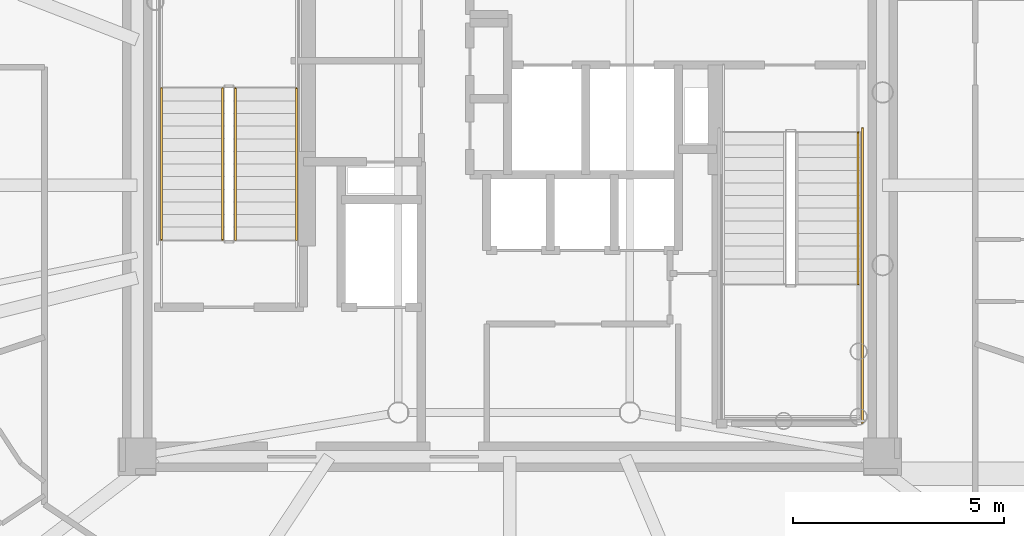
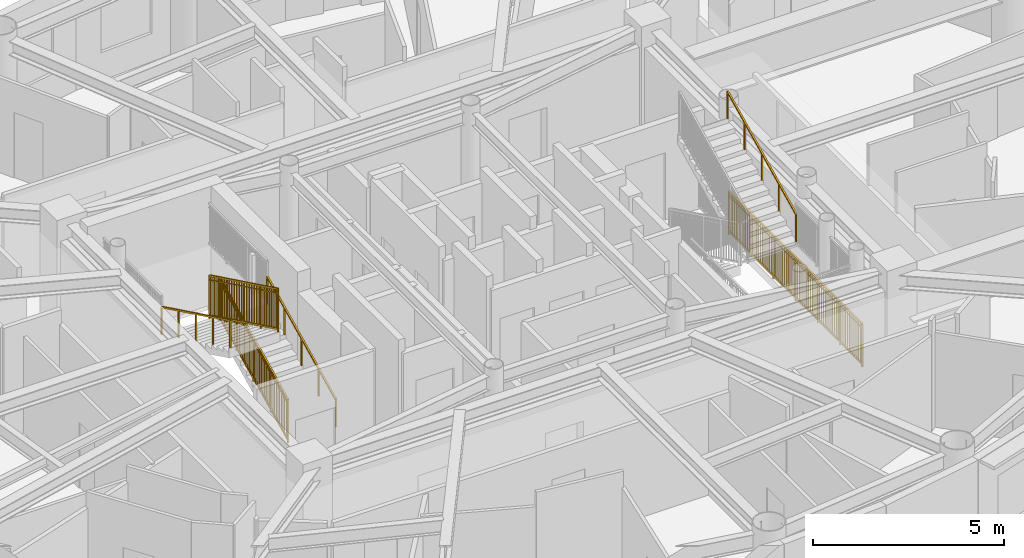
# One storey, part 14 of 17: 6 railings.
"""IFC4 building model written with IfcOpenShell, lengths in metres."""

from ifc_helpers import new_model, si_unit, direction, frame, origin, origin_2d, place, context, subcontext, project, spatial, rectangle, extrude, source, transform, mapped, material, type_object, element, save


model = new_model("IFC4")

# Units and contexts
model_context = context("Model", 3, precision=1e-05, world=origin(), true_north=direction((0.0, 1.0)))
body_context = subcontext(model_context, "Body", "Model", "MODEL_VIEW")
ifc_project = project(units=[si_unit("LENGTHUNIT", "METRE"), si_unit("AREAUNIT", "SQUARE_METRE"), si_unit("VOLUMEUNIT", "CUBIC_METRE"), si_unit("PLANEANGLEUNIT", "RADIAN"), si_unit("MASSUNIT", "GRAM", prefix="KILO")], contexts=[model_context])

# Site, building, storey
site_placement = place(None, origin())
site = spatial("IfcSite", under=ifc_project, at=site_placement, CompositionType="ELEMENT")
building_placement = place(site_placement, origin())
building = spatial("IfcBuilding", under=site, at=building_placement, Name="Linh Dai School and Residence Tower", CompositionType="ELEMENT")
storey_placement = place(building_placement, frame((0.0, 0.0, 335.39990234375)))
storey = spatial("IfcBuildingStorey", under=building, at=storey_placement, Name="L83", CompositionType="ELEMENT", Elevation=335.39990234375)

# Railings
ifc_material_1 = material(Name="Structural Steel S355JR", Category="steel")
railing_type_1 = type_object("IfcRailingType", Name="RL-ST-GUARD-1400", PredefinedType="GUARDRAIL", material=ifc_material_1)
shared_shape_1 = source(origin(), body_context, "Body", "SweptSolid", [
    extrude(rectangle(XDim=0.048095703125, YDim=0.048095703125, at=origin_2d()), frame((0.0, 0.0, 1.3759765625), z_axis=(0.0, -0.898988637874, 0.437971949985), x_axis=(1.0, 0.0, 0.0)), (0.0, 0.0, 1.0), 4.004638671875),
    extrude(rectangle(XDim=0.048095703125, YDim=0.048095703125, at=origin_2d()), frame((0.0, 0.0, 0.10009765625), z_axis=(0.0, -0.898988637874, 0.437971949985), x_axis=(1.0, 0.0, 0.0)), (0.0, 0.0, 1.0), 4.004638671875),
    extrude(rectangle(XDim=0.030029296875, YDim=0.030029296875, at=origin_2d()), frame((0.0, 0.0, 1.239990234375), z_axis=(0.0, -0.898988637874, 0.437971949985), x_axis=(1.0, 0.0, 0.0)), (0.0, 0.0, 1.0), 4.004638671875),
    extrude(rectangle(XDim=0.02001953125, YDim=0.02001953125, at=origin_2d()), frame((0.0, -0.087890625, 0.142822265625)), (0.0, 0.0, 1.0), 1.251708984375),
    extrude(rectangle(XDim=0.02001953125, YDim=0.02001953125, at=origin_2d()), frame((0.0, -0.175537109375, 0.185546875)), (0.0, 0.0, 1.0), 1.251708984375),
    extrude(rectangle(XDim=0.02001953125, YDim=0.02001953125, at=origin_2d()), frame((0.0, -0.263427734375, 0.228515625)), (0.0, 0.0, 1.0), 1.251708984375),
    extrude(rectangle(XDim=0.02001953125, YDim=0.02001953125, at=origin_2d()), frame((0.0, -0.351318359375, 0.271240234375)), (0.0, 0.0, 1.0), 1.251708984375),
    extrude(rectangle(XDim=0.02001953125, YDim=0.02001953125, at=origin_2d()), frame((0.0, -0.43896484375, 0.31396484375)), (0.0, 0.0, 1.0), 1.251708984375),
    extrude(rectangle(XDim=0.02001953125, YDim=0.02001953125, at=origin_2d()), frame((0.0, -0.52685546875, 0.356689453125)), (0.0, 0.0, 1.0), 1.251708984375),
    extrude(rectangle(XDim=0.02001953125, YDim=0.02001953125, at=origin_2d()), frame((0.0, -0.61474609375, 0.399658203125)), (0.0, 0.0, 1.0), 1.251708984375),
    extrude(rectangle(XDim=0.02001953125, YDim=0.02001953125, at=origin_2d()), frame((0.0, -0.702392578125, 0.4423828125)), (0.0, 0.0, 1.0), 1.251708984375),
    extrude(rectangle(XDim=0.02001953125, YDim=0.02001953125, at=origin_2d()), frame((0.0, -0.790283203125, 0.485107421875)), (0.0, 0.0, 1.0), 1.251708984375),
    extrude(rectangle(XDim=0.02001953125, YDim=0.02001953125, at=origin_2d()), frame((0.0, -0.9658203125, 0.570556640625)), (0.0, 0.0, 1.0), 1.251708984375),
    extrude(rectangle(XDim=0.02001953125, YDim=0.02001953125, at=origin_2d()), frame((0.0, -1.0537109375, 0.613525390625)), (0.0, 0.0, 1.0), 1.251708984375),
    extrude(rectangle(XDim=0.02001953125, YDim=0.02001953125, at=origin_2d()), frame((0.0, -1.1416015625, 0.65625)), (0.0, 0.0, 1.0), 1.251708984375),
    extrude(rectangle(XDim=0.02001953125, YDim=0.02001953125, at=origin_2d()), frame((0.0, -1.229248046875, 0.698974609375)), (0.0, 0.0, 1.0), 1.251708984375),
    extrude(rectangle(XDim=0.02001953125, YDim=0.02001953125, at=origin_2d()), frame((0.0, -1.317138671875, 0.74169921875)), (0.0, 0.0, 1.0), 1.251708984375),
    extrude(rectangle(XDim=0.02001953125, YDim=0.02001953125, at=origin_2d()), frame((0.0, -1.405029296875, 0.78466796875)), (0.0, 0.0, 1.0), 1.251708984375),
    extrude(rectangle(XDim=0.02001953125, YDim=0.02001953125, at=origin_2d()), frame((0.0, -1.49267578125, 0.827392578125)), (0.0, 0.0, 1.0), 1.251708984375),
    extrude(rectangle(XDim=0.02001953125, YDim=0.02001953125, at=origin_2d()), frame((0.0, -1.58056640625, 0.8701171875)), (0.0, 0.0, 1.0), 1.251708984375),
    extrude(rectangle(XDim=0.02001953125, YDim=0.02001953125, at=origin_2d()), frame((0.0, -1.66845703125, 0.912841796875)), (0.0, 0.0, 1.0), 1.251708984375),
    extrude(rectangle(XDim=0.02001953125, YDim=0.02001953125, at=origin_2d()), frame((0.0, -1.756103515625, 0.95556640625)), (0.0, 0.0, 1.0), 1.251708984375),
    extrude(rectangle(XDim=0.02001953125, YDim=0.02001953125, at=origin_2d()), frame((0.0, -1.843994140625, 0.99853515625)), (0.0, 0.0, 1.0), 1.251708984375),
    extrude(rectangle(XDim=0.02001953125, YDim=0.02001953125, at=origin_2d()), frame((0.0, -1.931640625, 1.041259765625)), (0.0, 0.0, 1.0), 1.251708984375),
    extrude(rectangle(XDim=0.02001953125, YDim=0.02001953125, at=origin_2d()), frame((0.0, -2.01953125, 1.083984375)), (0.0, 0.0, 1.0), 1.251708984375),
    extrude(rectangle(XDim=0.02001953125, YDim=0.02001953125, at=origin_2d()), frame((0.0, -2.107421875, 1.126708984375)), (0.0, 0.0, 1.0), 1.251708984375),
    extrude(rectangle(XDim=0.02001953125, YDim=0.02001953125, at=origin_2d()), frame((0.0, -2.195068359375, 1.16943359375)), (0.0, 0.0, 1.0), 1.251708984375),
    extrude(rectangle(XDim=0.02001953125, YDim=0.02001953125, at=origin_2d()), frame((0.0, -2.282958984375, 1.21240234375)), (0.0, 0.0, 1.0), 1.251708984375),
    extrude(rectangle(XDim=0.02001953125, YDim=0.02001953125, at=origin_2d()), frame((0.0, -2.370849609375, 1.255126953125)), (0.0, 0.0, 1.0), 1.251708984375),
    extrude(rectangle(XDim=0.02001953125, YDim=0.02001953125, at=origin_2d()), frame((0.0, -2.45849609375, 1.2978515625)), (0.0, 0.0, 1.0), 1.251708984375),
    extrude(rectangle(XDim=0.02001953125, YDim=0.02001953125, at=origin_2d()), frame((0.0, -2.54638671875, 1.340576171875)), (0.0, 0.0, 1.0), 1.251708984375),
    extrude(rectangle(XDim=0.02001953125, YDim=0.02001953125, at=origin_2d()), frame((0.0, -2.63427734375, 1.383544921875)), (0.0, 0.0, 1.0), 1.251708984375),
    extrude(rectangle(XDim=0.02001953125, YDim=0.02001953125, at=origin_2d()), frame((0.0, -2.809814453125, 1.468994140625)), (0.0, 0.0, 1.0), 1.251708984375),
    extrude(rectangle(XDim=0.02001953125, YDim=0.02001953125, at=origin_2d()), frame((0.0, -2.897705078125, 1.51171875)), (0.0, 0.0, 1.0), 1.251708984375),
    extrude(rectangle(XDim=0.02001953125, YDim=0.02001953125, at=origin_2d()), frame((0.0, -2.9853515625, 1.554443359375)), (0.0, 0.0, 1.0), 1.251708984375),
    extrude(rectangle(XDim=0.02001953125, YDim=0.02001953125, at=origin_2d()), frame((0.0, -3.0732421875, 1.597412109375)), (0.0, 0.0, 1.0), 1.251708984375),
    extrude(rectangle(XDim=0.02001953125, YDim=0.02001953125, at=origin_2d()), frame((0.0, -3.1611328125, 1.64013671875)), (0.0, 0.0, 1.0), 1.251708984375),
    extrude(rectangle(XDim=0.02001953125, YDim=0.02001953125, at=origin_2d()), frame((0.0, -3.248779296875, 1.682861328125)), (0.0, 0.0, 1.0), 1.251708984375),
    extrude(rectangle(XDim=0.02001953125, YDim=0.02001953125, at=origin_2d()), frame((0.0, -3.336669921875, 1.7255859375)), (0.0, 0.0, 1.0), 1.251708984375),
    extrude(rectangle(XDim=0.02001953125, YDim=0.02001953125, at=origin_2d()), frame((0.0, -3.424560546875, 1.7685546875)), (0.0, 0.0, 1.0), 1.251708984375),
    extrude(rectangle(XDim=0.02001953125, YDim=0.02001953125, at=origin_2d()), frame((0.0, -3.51220703125, 1.811279296875)), (0.0, 0.0, 1.0), 1.251708984375),
    extrude(rectangle(XDim=0.0419921875, YDim=0.0419921875, at=origin_2d()), origin(), (0.0, 0.0, 1.0), 1.3759765625),
    extrude(rectangle(XDim=0.0419921875, YDim=0.0419921875, at=origin_2d()), frame((0.0, -0.89990234375, 0.4384765625)), (0.0, 0.0, 1.0), 1.3759765625),
    extrude(rectangle(XDim=0.0419921875, YDim=0.0419921875, at=origin_2d()), frame((0.0, -1.800048828125, 0.876953125)), (0.0, 0.0, 1.0), 1.3759765625),
    extrude(rectangle(XDim=0.0419921875, YDim=0.0419921875, at=origin_2d()), frame((0.0, -2.7001953125, 1.3154296875)), (0.0, 0.0, 1.0), 1.3759765625),
    extrude(rectangle(XDim=0.0419921875, YDim=0.0419921875, at=origin_2d()), frame((0.0, -3.60009765625, 1.75390625)), (0.0, 0.0, 1.0), 1.3759765625),
])
railing_1_placement = place(storey_placement, frame((29.179931640625, 29.300048828125, 2.046142578125)))
element("IfcRailing", 1, at=railing_1_placement, inside=storey, type_object=railing_type_1, Name="L83 ST1 stair guard 6", PredefinedType="GUARDRAIL", context=body_context, shape_type="MappedRepresentation", body=[
    mapped(shared_shape_1, transform((0.0, 0.0, 0.0), x_axis=(1.0, 0.0, 0.0), y_axis=(0.0, 1.0, 0.0), z_axis=(0.0, 0.0, 1.0), scale=1.0)),
])
ifc_material_2 = material(Name="Brushed Stainless Steel Handrail", Category="steel")
railing_type_2 = type_object("IfcRailingType", Name="RL-ST-HANDRAIL-900", PredefinedType="HANDRAIL", material=ifc_material_2)
shared_shape_2 = source(origin(), body_context, "Body", "SweptSolid", [
    extrude(rectangle(XDim=0.048095703125, YDim=0.048095703125, at=origin_2d()), frame((0.0, 0.0, 0.8759765625), z_axis=(0.0, -0.898988637874, 0.437971949985), x_axis=(1.0, 0.0, 0.0)), (0.0, 0.0, 1.0), 4.004638671875),
    extrude(rectangle(XDim=0.0419921875, YDim=0.0419921875, at=origin_2d()), origin(), (0.0, 0.0, 1.0), 0.8759765625),
    extrude(rectangle(XDim=0.0419921875, YDim=0.0419921875, at=origin_2d()), frame((0.0, -0.89990234375, 0.4384765625)), (0.0, 0.0, 1.0), 0.8759765625),
    extrude(rectangle(XDim=0.0419921875, YDim=0.0419921875, at=origin_2d()), frame((0.0, -1.800048828125, 0.876953125)), (0.0, 0.0, 1.0), 0.8759765625),
    extrude(rectangle(XDim=0.0419921875, YDim=0.0419921875, at=origin_2d()), frame((0.0, -2.7001953125, 1.3154296875)), (0.0, 0.0, 1.0), 0.8759765625),
    extrude(rectangle(XDim=0.0419921875, YDim=0.0419921875, at=origin_2d()), frame((0.0, -3.60009765625, 1.75390625)), (0.0, 0.0, 1.0), 0.8759765625),
])
railing_2_placement = place(storey_placement, frame((27.72998046875, 29.300048828125, 2.046142578125)))
element("IfcRailing", 2, at=railing_2_placement, inside=storey, type_object=railing_type_2, Name="L83 ST1 stair handrail 2", PredefinedType="HANDRAIL", context=body_context, shape_type="MappedRepresentation", body=[
    mapped(shared_shape_2, transform((0.0, 0.0, 0.0), x_axis=(1.0, 0.0, 0.0), y_axis=(0.0, 1.0, 0.0), z_axis=(0.0, 0.0, 1.0), scale=1.0)),
])
shared_shape_3 = source(origin(), body_context, "Body", "SweptSolid", [
    extrude(rectangle(XDim=0.048095703125, YDim=0.048095703125, at=origin_2d()), frame((0.0, 0.0, 1.3759765625), z_axis=(0.0, 0.898988637874, 0.437971949985), x_axis=(-1.0, 0.0, 0.0)), (0.0, 0.0, 1.0), 4.004638671875),
    extrude(rectangle(XDim=0.048095703125, YDim=0.048095703125, at=origin_2d()), frame((0.0, 0.0, 0.10009765625), z_axis=(0.0, 0.898988637874, 0.437971949985), x_axis=(-1.0, 0.0, 0.0)), (0.0, 0.0, 1.0), 4.004638671875),
    extrude(rectangle(XDim=0.030029296875, YDim=0.030029296875, at=origin_2d()), frame((0.0, 0.0, 1.239990234375), z_axis=(0.0, 0.898988637874, 0.437971949985), x_axis=(-1.0, 0.0, 0.0)), (0.0, 0.0, 1.0), 4.004638671875),
    extrude(rectangle(XDim=0.02001953125, YDim=0.02001953125, at=origin_2d()), frame((0.0, 0.087890625, 0.142822265625)), (0.0, 0.0, 1.0), 1.251708984375),
    extrude(rectangle(XDim=0.02001953125, YDim=0.02001953125, at=origin_2d()), frame((0.0, 0.175537109375, 0.185546875)), (0.0, 0.0, 1.0), 1.251708984375),
    extrude(rectangle(XDim=0.02001953125, YDim=0.02001953125, at=origin_2d()), frame((0.0, 0.263427734375, 0.228515625)), (0.0, 0.0, 1.0), 1.251708984375),
    extrude(rectangle(XDim=0.02001953125, YDim=0.02001953125, at=origin_2d()), frame((0.0, 0.351318359375, 0.271240234375)), (0.0, 0.0, 1.0), 1.251708984375),
    extrude(rectangle(XDim=0.02001953125, YDim=0.02001953125, at=origin_2d()), frame((0.0, 0.43896484375, 0.31396484375)), (0.0, 0.0, 1.0), 1.251708984375),
    extrude(rectangle(XDim=0.02001953125, YDim=0.02001953125, at=origin_2d()), frame((0.0, 0.52685546875, 0.356689453125)), (0.0, 0.0, 1.0), 1.251708984375),
    extrude(rectangle(XDim=0.02001953125, YDim=0.02001953125, at=origin_2d()), frame((0.0, 0.61474609375, 0.399658203125)), (0.0, 0.0, 1.0), 1.251708984375),
    extrude(rectangle(XDim=0.02001953125, YDim=0.02001953125, at=origin_2d()), frame((0.0, 0.702392578125, 0.4423828125)), (0.0, 0.0, 1.0), 1.251708984375),
    extrude(rectangle(XDim=0.02001953125, YDim=0.02001953125, at=origin_2d()), frame((0.0, 0.790283203125, 0.485107421875)), (0.0, 0.0, 1.0), 1.251708984375),
    extrude(rectangle(XDim=0.02001953125, YDim=0.02001953125, at=origin_2d()), frame((0.0, 0.9658203125, 0.570556640625)), (0.0, 0.0, 1.0), 1.251708984375),
    extrude(rectangle(XDim=0.02001953125, YDim=0.02001953125, at=origin_2d()), frame((0.0, 1.0537109375, 0.613525390625)), (0.0, 0.0, 1.0), 1.251708984375),
    extrude(rectangle(XDim=0.02001953125, YDim=0.02001953125, at=origin_2d()), frame((0.0, 1.1416015625, 0.65625)), (0.0, 0.0, 1.0), 1.251708984375),
    extrude(rectangle(XDim=0.02001953125, YDim=0.02001953125, at=origin_2d()), frame((0.0, 1.229248046875, 0.698974609375)), (0.0, 0.0, 1.0), 1.251708984375),
    extrude(rectangle(XDim=0.02001953125, YDim=0.02001953125, at=origin_2d()), frame((0.0, 1.317138671875, 0.74169921875)), (0.0, 0.0, 1.0), 1.251708984375),
    extrude(rectangle(XDim=0.02001953125, YDim=0.02001953125, at=origin_2d()), frame((0.0, 1.405029296875, 0.78466796875)), (0.0, 0.0, 1.0), 1.251708984375),
    extrude(rectangle(XDim=0.02001953125, YDim=0.02001953125, at=origin_2d()), frame((0.0, 1.49267578125, 0.827392578125)), (0.0, 0.0, 1.0), 1.251708984375),
    extrude(rectangle(XDim=0.02001953125, YDim=0.02001953125, at=origin_2d()), frame((0.0, 1.58056640625, 0.8701171875)), (0.0, 0.0, 1.0), 1.251708984375),
    extrude(rectangle(XDim=0.02001953125, YDim=0.02001953125, at=origin_2d()), frame((0.0, 1.66845703125, 0.912841796875)), (0.0, 0.0, 1.0), 1.251708984375),
    extrude(rectangle(XDim=0.02001953125, YDim=0.02001953125, at=origin_2d()), frame((0.0, 1.756103515625, 0.95556640625)), (0.0, 0.0, 1.0), 1.251708984375),
    extrude(rectangle(XDim=0.02001953125, YDim=0.02001953125, at=origin_2d()), frame((0.0, 1.843994140625, 0.99853515625)), (0.0, 0.0, 1.0), 1.251708984375),
    extrude(rectangle(XDim=0.02001953125, YDim=0.02001953125, at=origin_2d()), frame((0.0, 1.931640625, 1.041259765625)), (0.0, 0.0, 1.0), 1.251708984375),
    extrude(rectangle(XDim=0.02001953125, YDim=0.02001953125, at=origin_2d()), frame((0.0, 2.01953125, 1.083984375)), (0.0, 0.0, 1.0), 1.251708984375),
    extrude(rectangle(XDim=0.02001953125, YDim=0.02001953125, at=origin_2d()), frame((0.0, 2.107421875, 1.126708984375)), (0.0, 0.0, 1.0), 1.251708984375),
    extrude(rectangle(XDim=0.02001953125, YDim=0.02001953125, at=origin_2d()), frame((0.0, 2.195068359375, 1.16943359375)), (0.0, 0.0, 1.0), 1.251708984375),
    extrude(rectangle(XDim=0.02001953125, YDim=0.02001953125, at=origin_2d()), frame((0.0, 2.282958984375, 1.21240234375)), (0.0, 0.0, 1.0), 1.251708984375),
    extrude(rectangle(XDim=0.02001953125, YDim=0.02001953125, at=origin_2d()), frame((0.0, 2.370849609375, 1.255126953125)), (0.0, 0.0, 1.0), 1.251708984375),
    extrude(rectangle(XDim=0.02001953125, YDim=0.02001953125, at=origin_2d()), frame((0.0, 2.45849609375, 1.2978515625)), (0.0, 0.0, 1.0), 1.251708984375),
    extrude(rectangle(XDim=0.02001953125, YDim=0.02001953125, at=origin_2d()), frame((0.0, 2.54638671875, 1.340576171875)), (0.0, 0.0, 1.0), 1.251708984375),
    extrude(rectangle(XDim=0.02001953125, YDim=0.02001953125, at=origin_2d()), frame((0.0, 2.63427734375, 1.383544921875)), (0.0, 0.0, 1.0), 1.251708984375),
    extrude(rectangle(XDim=0.02001953125, YDim=0.02001953125, at=origin_2d()), frame((0.0, 2.809814453125, 1.468994140625)), (0.0, 0.0, 1.0), 1.251708984375),
    extrude(rectangle(XDim=0.02001953125, YDim=0.02001953125, at=origin_2d()), frame((0.0, 2.897705078125, 1.51171875)), (0.0, 0.0, 1.0), 1.251708984375),
    extrude(rectangle(XDim=0.02001953125, YDim=0.02001953125, at=origin_2d()), frame((0.0, 2.9853515625, 1.554443359375)), (0.0, 0.0, 1.0), 1.251708984375),
    extrude(rectangle(XDim=0.02001953125, YDim=0.02001953125, at=origin_2d()), frame((0.0, 3.0732421875, 1.597412109375)), (0.0, 0.0, 1.0), 1.251708984375),
    extrude(rectangle(XDim=0.02001953125, YDim=0.02001953125, at=origin_2d()), frame((0.0, 3.1611328125, 1.64013671875)), (0.0, 0.0, 1.0), 1.251708984375),
    extrude(rectangle(XDim=0.02001953125, YDim=0.02001953125, at=origin_2d()), frame((0.0, 3.248779296875, 1.682861328125)), (0.0, 0.0, 1.0), 1.251708984375),
    extrude(rectangle(XDim=0.02001953125, YDim=0.02001953125, at=origin_2d()), frame((0.0, 3.336669921875, 1.7255859375)), (0.0, 0.0, 1.0), 1.251708984375),
    extrude(rectangle(XDim=0.02001953125, YDim=0.02001953125, at=origin_2d()), frame((0.0, 3.424560546875, 1.7685546875)), (0.0, 0.0, 1.0), 1.251708984375),
    extrude(rectangle(XDim=0.02001953125, YDim=0.02001953125, at=origin_2d()), frame((0.0, 3.51220703125, 1.811279296875)), (0.0, 0.0, 1.0), 1.251708984375),
    extrude(rectangle(XDim=0.0419921875, YDim=0.0419921875, at=origin_2d()), origin(), (0.0, 0.0, 1.0), 1.3759765625),
    extrude(rectangle(XDim=0.0419921875, YDim=0.0419921875, at=origin_2d()), frame((0.0, 0.89990234375, 0.4384765625)), (0.0, 0.0, 1.0), 1.3759765625),
    extrude(rectangle(XDim=0.0419921875, YDim=0.0419921875, at=origin_2d()), frame((0.0, 1.800048828125, 0.876953125)), (0.0, 0.0, 1.0), 1.3759765625),
    extrude(rectangle(XDim=0.0419921875, YDim=0.0419921875, at=origin_2d()), frame((0.0, 2.7001953125, 1.3154296875)), (0.0, 0.0, 1.0), 1.3759765625),
    extrude(rectangle(XDim=0.0419921875, YDim=0.0419921875, at=origin_2d()), frame((0.0, 3.60009765625, 1.75390625)), (0.0, 0.0, 1.0), 1.3759765625),
])
railing_3_placement = place(storey_placement, frame((29.47998046875, 25.699951171875, 0.146240234375)))
element("IfcRailing", 3, at=railing_3_placement, inside=storey, type_object=railing_type_1, Name="L83 ST1 stair guard 1", PredefinedType="GUARDRAIL", context=body_context, shape_type="MappedRepresentation", body=[
    mapped(shared_shape_3, transform((0.0, 0.0, 0.0), x_axis=(1.0, 0.0, 0.0), y_axis=(0.0, 1.0, 0.0), z_axis=(0.0, 0.0, 1.0), scale=1.0)),
])
shared_shape_4 = source(origin(), body_context, "Body", "SweptSolid", [
    extrude(rectangle(XDim=0.048095703125, YDim=0.048095703125, at=origin_2d()), frame((0.0, 0.0, 0.8759765625), z_axis=(0.0, 0.898988637874, 0.437971949985), x_axis=(-1.0, 0.0, 0.0)), (0.0, 0.0, 1.0), 4.004638671875),
    extrude(rectangle(XDim=0.0419921875, YDim=0.0419921875, at=origin_2d()), origin(), (0.0, 0.0, 1.0), 0.8759765625),
    extrude(rectangle(XDim=0.0419921875, YDim=0.0419921875, at=origin_2d()), frame((0.0, 0.89990234375, 0.4384765625)), (0.0, 0.0, 1.0), 0.8759765625),
    extrude(rectangle(XDim=0.0419921875, YDim=0.0419921875, at=origin_2d()), frame((0.0, 1.800048828125, 0.876953125)), (0.0, 0.0, 1.0), 0.8759765625),
    extrude(rectangle(XDim=0.0419921875, YDim=0.0419921875, at=origin_2d()), frame((0.0, 2.7001953125, 1.3154296875)), (0.0, 0.0, 1.0), 0.8759765625),
    extrude(rectangle(XDim=0.0419921875, YDim=0.0419921875, at=origin_2d()), frame((0.0, 3.60009765625, 1.75390625)), (0.0, 0.0, 1.0), 0.8759765625),
])
for number, where, name in (
    (4, (30.929931640625, 25.699951171875, 0.146240234375), "L83 ST1 stair handrail 1"),
    (5, (44.27001953125, 24.64990234375, 2.046142578125), "L83 ST2 stair handrail 2"),
):
    element("IfcRailing", number, at=place(storey_placement, frame(where)), inside=storey, type_object=railing_type_2, Name=name, PredefinedType="HANDRAIL", context=body_context, shape_type="MappedRepresentation", body=[
        mapped(shared_shape_4, transform((0.0, 0.0, 0.0), x_axis=(1.0, 0.0, 0.0), y_axis=(0.0, 1.0, 0.0), z_axis=(0.0, 0.0, 1.0), scale=1.0)),
    ])
shared_shape_5 = source(origin(), body_context, "Body", "SweptSolid", [
    extrude(rectangle(XDim=0.048095703125, YDim=0.048095703125, at=origin_2d()), frame((0.0, 0.0, 1.3759765625), z_axis=(0.0, -1.0, 0.0), x_axis=(1.0, 0.0, 0.0)), (0.0, 0.0, 1.0), 7.0),
    extrude(rectangle(XDim=0.048095703125, YDim=0.048095703125, at=origin_2d()), frame((0.0, 0.0, 0.10009765625), z_axis=(0.0, -1.0, 0.0), x_axis=(1.0, 0.0, 0.0)), (0.0, 0.0, 1.0), 7.0),
    extrude(rectangle(XDim=0.030029296875, YDim=0.030029296875, at=origin_2d()), frame((0.0, 0.0, 1.239990234375), z_axis=(0.0, -1.0, 0.0), x_axis=(1.0, 0.0, 0.0)), (0.0, 0.0, 1.0), 7.0),
    extrude(rectangle(XDim=0.02001953125, YDim=0.02001953125, at=origin_2d()), frame((0.0, -0.09716796875, 0.10009765625)), (0.0, 0.0, 1.0), 1.251708984375),
    extrude(rectangle(XDim=0.02001953125, YDim=0.02001953125, at=origin_2d()), frame((0.0, -0.1943359375, 0.10009765625)), (0.0, 0.0, 1.0), 1.251708984375),
    extrude(rectangle(XDim=0.02001953125, YDim=0.02001953125, at=origin_2d()), frame((0.0, -0.291748046875, 0.10009765625)), (0.0, 0.0, 1.0), 1.251708984375),
    extrude(rectangle(XDim=0.02001953125, YDim=0.02001953125, at=origin_2d()), frame((0.0, -0.388916015625, 0.10009765625)), (0.0, 0.0, 1.0), 1.251708984375),
    extrude(rectangle(XDim=0.02001953125, YDim=0.02001953125, at=origin_2d()), frame((0.0, -0.486083984375, 0.10009765625)), (0.0, 0.0, 1.0), 1.251708984375),
    extrude(rectangle(XDim=0.02001953125, YDim=0.02001953125, at=origin_2d()), frame((0.0, -0.583251953125, 0.10009765625)), (0.0, 0.0, 1.0), 1.251708984375),
    extrude(rectangle(XDim=0.02001953125, YDim=0.02001953125, at=origin_2d()), frame((0.0, -0.6806640625, 0.10009765625)), (0.0, 0.0, 1.0), 1.251708984375),
    extrude(rectangle(XDim=0.02001953125, YDim=0.02001953125, at=origin_2d()), frame((0.0, -0.77783203125, 0.10009765625)), (0.0, 0.0, 1.0), 1.251708984375),
    extrude(rectangle(XDim=0.02001953125, YDim=0.02001953125, at=origin_2d()), frame((0.0, -0.875, 0.10009765625)), (0.0, 0.0, 1.0), 1.251708984375),
    extrude(rectangle(XDim=0.02001953125, YDim=0.02001953125, at=origin_2d()), frame((0.0, -0.97216796875, 0.10009765625)), (0.0, 0.0, 1.0), 1.251708984375),
    extrude(rectangle(XDim=0.02001953125, YDim=0.02001953125, at=origin_2d()), frame((0.0, -1.0693359375, 0.10009765625)), (0.0, 0.0, 1.0), 1.251708984375),
    extrude(rectangle(XDim=0.02001953125, YDim=0.02001953125, at=origin_2d()), frame((0.0, -1.263916015625, 0.10009765625)), (0.0, 0.0, 1.0), 1.251708984375),
    extrude(rectangle(XDim=0.02001953125, YDim=0.02001953125, at=origin_2d()), frame((0.0, -1.361083984375, 0.10009765625)), (0.0, 0.0, 1.0), 1.251708984375),
    extrude(rectangle(XDim=0.02001953125, YDim=0.02001953125, at=origin_2d()), frame((0.0, -1.458251953125, 0.10009765625)), (0.0, 0.0, 1.0), 1.251708984375),
    extrude(rectangle(XDim=0.02001953125, YDim=0.02001953125, at=origin_2d()), frame((0.0, -1.5556640625, 0.10009765625)), (0.0, 0.0, 1.0), 1.251708984375),
    extrude(rectangle(XDim=0.02001953125, YDim=0.02001953125, at=origin_2d()), frame((0.0, -1.65283203125, 0.10009765625)), (0.0, 0.0, 1.0), 1.251708984375),
    extrude(rectangle(XDim=0.02001953125, YDim=0.02001953125, at=origin_2d()), frame((0.0, -1.75, 0.10009765625)), (0.0, 0.0, 1.0), 1.251708984375),
    extrude(rectangle(XDim=0.02001953125, YDim=0.02001953125, at=origin_2d()), frame((0.0, -1.84716796875, 0.10009765625)), (0.0, 0.0, 1.0), 1.251708984375),
    extrude(rectangle(XDim=0.02001953125, YDim=0.02001953125, at=origin_2d()), frame((0.0, -1.9443359375, 0.10009765625)), (0.0, 0.0, 1.0), 1.251708984375),
    extrude(rectangle(XDim=0.02001953125, YDim=0.02001953125, at=origin_2d()), frame((0.0, -2.041748046875, 0.10009765625)), (0.0, 0.0, 1.0), 1.251708984375),
    extrude(rectangle(XDim=0.02001953125, YDim=0.02001953125, at=origin_2d()), frame((0.0, -2.138916015625, 0.10009765625)), (0.0, 0.0, 1.0), 1.251708984375),
    extrude(rectangle(XDim=0.02001953125, YDim=0.02001953125, at=origin_2d()), frame((0.0, -2.236083984375, 0.10009765625)), (0.0, 0.0, 1.0), 1.251708984375),
    extrude(rectangle(XDim=0.02001953125, YDim=0.02001953125, at=origin_2d()), frame((0.0, -2.4306640625, 0.10009765625)), (0.0, 0.0, 1.0), 1.251708984375),
    extrude(rectangle(XDim=0.02001953125, YDim=0.02001953125, at=origin_2d()), frame((0.0, -2.52783203125, 0.10009765625)), (0.0, 0.0, 1.0), 1.251708984375),
    extrude(rectangle(XDim=0.02001953125, YDim=0.02001953125, at=origin_2d()), frame((0.0, -2.625, 0.10009765625)), (0.0, 0.0, 1.0), 1.251708984375),
    extrude(rectangle(XDim=0.02001953125, YDim=0.02001953125, at=origin_2d()), frame((0.0, -2.72216796875, 0.10009765625)), (0.0, 0.0, 1.0), 1.251708984375),
    extrude(rectangle(XDim=0.02001953125, YDim=0.02001953125, at=origin_2d()), frame((0.0, -2.8193359375, 0.10009765625)), (0.0, 0.0, 1.0), 1.251708984375),
    extrude(rectangle(XDim=0.02001953125, YDim=0.02001953125, at=origin_2d()), frame((0.0, -2.916748046875, 0.10009765625)), (0.0, 0.0, 1.0), 1.251708984375),
    extrude(rectangle(XDim=0.02001953125, YDim=0.02001953125, at=origin_2d()), frame((0.0, -3.013916015625, 0.10009765625)), (0.0, 0.0, 1.0), 1.251708984375),
    extrude(rectangle(XDim=0.02001953125, YDim=0.02001953125, at=origin_2d()), frame((0.0, -3.111083984375, 0.10009765625)), (0.0, 0.0, 1.0), 1.251708984375),
    extrude(rectangle(XDim=0.02001953125, YDim=0.02001953125, at=origin_2d()), frame((0.0, -3.208251953125, 0.10009765625)), (0.0, 0.0, 1.0), 1.251708984375),
    extrude(rectangle(XDim=0.02001953125, YDim=0.02001953125, at=origin_2d()), frame((0.0, -3.3056640625, 0.10009765625)), (0.0, 0.0, 1.0), 1.251708984375),
    extrude(rectangle(XDim=0.02001953125, YDim=0.02001953125, at=origin_2d()), frame((0.0, -3.40283203125, 0.10009765625)), (0.0, 0.0, 1.0), 1.251708984375),
    extrude(rectangle(XDim=0.02001953125, YDim=0.02001953125, at=origin_2d()), frame((0.0, -3.59716796875, 0.10009765625)), (0.0, 0.0, 1.0), 1.251708984375),
    extrude(rectangle(XDim=0.02001953125, YDim=0.02001953125, at=origin_2d()), frame((0.0, -3.6943359375, 0.10009765625)), (0.0, 0.0, 1.0), 1.251708984375),
    extrude(rectangle(XDim=0.02001953125, YDim=0.02001953125, at=origin_2d()), frame((0.0, -3.791748046875, 0.10009765625)), (0.0, 0.0, 1.0), 1.251708984375),
    extrude(rectangle(XDim=0.02001953125, YDim=0.02001953125, at=origin_2d()), frame((0.0, -3.888916015625, 0.10009765625)), (0.0, 0.0, 1.0), 1.251708984375),
    extrude(rectangle(XDim=0.02001953125, YDim=0.02001953125, at=origin_2d()), frame((0.0, -3.986083984375, 0.10009765625)), (0.0, 0.0, 1.0), 1.251708984375),
    extrude(rectangle(XDim=0.02001953125, YDim=0.02001953125, at=origin_2d()), frame((0.0, -4.083251953125, 0.10009765625)), (0.0, 0.0, 1.0), 1.251708984375),
    extrude(rectangle(XDim=0.02001953125, YDim=0.02001953125, at=origin_2d()), frame((0.0, -4.1806640625, 0.10009765625)), (0.0, 0.0, 1.0), 1.251708984375),
    extrude(rectangle(XDim=0.02001953125, YDim=0.02001953125, at=origin_2d()), frame((0.0, -4.27783203125, 0.10009765625)), (0.0, 0.0, 1.0), 1.251708984375),
    extrude(rectangle(XDim=0.02001953125, YDim=0.02001953125, at=origin_2d()), frame((0.0, -4.375, 0.10009765625)), (0.0, 0.0, 1.0), 1.251708984375),
    extrude(rectangle(XDim=0.02001953125, YDim=0.02001953125, at=origin_2d()), frame((0.0, -4.47216796875, 0.10009765625)), (0.0, 0.0, 1.0), 1.251708984375),
    extrude(rectangle(XDim=0.02001953125, YDim=0.02001953125, at=origin_2d()), frame((0.0, -4.5693359375, 0.10009765625)), (0.0, 0.0, 1.0), 1.251708984375),
    extrude(rectangle(XDim=0.02001953125, YDim=0.02001953125, at=origin_2d()), frame((0.0, -4.763916015625, 0.10009765625)), (0.0, 0.0, 1.0), 1.251708984375),
    extrude(rectangle(XDim=0.02001953125, YDim=0.02001953125, at=origin_2d()), frame((0.0, -4.861083984375, 0.10009765625)), (0.0, 0.0, 1.0), 1.251708984375),
    extrude(rectangle(XDim=0.02001953125, YDim=0.02001953125, at=origin_2d()), frame((0.0, -4.958251953125, 0.10009765625)), (0.0, 0.0, 1.0), 1.251708984375),
    extrude(rectangle(XDim=0.02001953125, YDim=0.02001953125, at=origin_2d()), frame((0.0, -5.0556640625, 0.10009765625)), (0.0, 0.0, 1.0), 1.251708984375),
    extrude(rectangle(XDim=0.02001953125, YDim=0.02001953125, at=origin_2d()), frame((0.0, -5.15283203125, 0.10009765625)), (0.0, 0.0, 1.0), 1.251708984375),
    extrude(rectangle(XDim=0.02001953125, YDim=0.02001953125, at=origin_2d()), frame((0.0, -5.25, 0.10009765625)), (0.0, 0.0, 1.0), 1.251708984375),
    extrude(rectangle(XDim=0.02001953125, YDim=0.02001953125, at=origin_2d()), frame((0.0, -5.34716796875, 0.10009765625)), (0.0, 0.0, 1.0), 1.251708984375),
    extrude(rectangle(XDim=0.02001953125, YDim=0.02001953125, at=origin_2d()), frame((0.0, -5.4443359375, 0.10009765625)), (0.0, 0.0, 1.0), 1.251708984375),
    extrude(rectangle(XDim=0.02001953125, YDim=0.02001953125, at=origin_2d()), frame((0.0, -5.541748046875, 0.10009765625)), (0.0, 0.0, 1.0), 1.251708984375),
    extrude(rectangle(XDim=0.02001953125, YDim=0.02001953125, at=origin_2d()), frame((0.0, -5.638916015625, 0.10009765625)), (0.0, 0.0, 1.0), 1.251708984375),
    extrude(rectangle(XDim=0.02001953125, YDim=0.02001953125, at=origin_2d()), frame((0.0, -5.736083984375, 0.10009765625)), (0.0, 0.0, 1.0), 1.251708984375),
    extrude(rectangle(XDim=0.02001953125, YDim=0.02001953125, at=origin_2d()), frame((0.0, -5.9306640625, 0.10009765625)), (0.0, 0.0, 1.0), 1.251708984375),
    extrude(rectangle(XDim=0.02001953125, YDim=0.02001953125, at=origin_2d()), frame((0.0, -6.02783203125, 0.10009765625)), (0.0, 0.0, 1.0), 1.251708984375),
    extrude(rectangle(XDim=0.02001953125, YDim=0.02001953125, at=origin_2d()), frame((0.0, -6.125, 0.10009765625)), (0.0, 0.0, 1.0), 1.251708984375),
    extrude(rectangle(XDim=0.02001953125, YDim=0.02001953125, at=origin_2d()), frame((0.0, -6.22216796875, 0.10009765625)), (0.0, 0.0, 1.0), 1.251708984375),
    extrude(rectangle(XDim=0.02001953125, YDim=0.02001953125, at=origin_2d()), frame((0.0, -6.3193359375, 0.10009765625)), (0.0, 0.0, 1.0), 1.251708984375),
    extrude(rectangle(XDim=0.02001953125, YDim=0.02001953125, at=origin_2d()), frame((0.0, -6.416748046875, 0.10009765625)), (0.0, 0.0, 1.0), 1.251708984375),
    extrude(rectangle(XDim=0.02001953125, YDim=0.02001953125, at=origin_2d()), frame((0.0, -6.513916015625, 0.10009765625)), (0.0, 0.0, 1.0), 1.251708984375),
    extrude(rectangle(XDim=0.02001953125, YDim=0.02001953125, at=origin_2d()), frame((0.0, -6.611083984375, 0.10009765625)), (0.0, 0.0, 1.0), 1.251708984375),
    extrude(rectangle(XDim=0.02001953125, YDim=0.02001953125, at=origin_2d()), frame((0.0, -6.708251953125, 0.10009765625)), (0.0, 0.0, 1.0), 1.251708984375),
    extrude(rectangle(XDim=0.02001953125, YDim=0.02001953125, at=origin_2d()), frame((0.0, -6.8056640625, 0.10009765625)), (0.0, 0.0, 1.0), 1.251708984375),
    extrude(rectangle(XDim=0.02001953125, YDim=0.02001953125, at=origin_2d()), frame((0.0, -6.90283203125, 0.10009765625)), (0.0, 0.0, 1.0), 1.251708984375),
    extrude(rectangle(XDim=0.0419921875, YDim=0.0419921875, at=origin_2d()), origin(), (0.0, 0.0, 1.0), 1.3759765625),
    extrude(rectangle(XDim=0.0419921875, YDim=0.0419921875, at=origin_2d()), frame((0.0, -1.166748046875, 0.0)), (0.0, 0.0, 1.0), 1.3759765625),
    extrude(rectangle(XDim=0.0419921875, YDim=0.0419921875, at=origin_2d()), frame((0.0, -2.333251953125, 0.0)), (0.0, 0.0, 1.0), 1.3759765625),
    extrude(rectangle(XDim=0.0419921875, YDim=0.0419921875, at=origin_2d()), frame((0.0, -3.5, 0.0)), (0.0, 0.0, 1.0), 1.3759765625),
    extrude(rectangle(XDim=0.0419921875, YDim=0.0419921875, at=origin_2d()), frame((0.0, -4.666748046875, 0.0)), (0.0, 0.0, 1.0), 1.3759765625),
    extrude(rectangle(XDim=0.0419921875, YDim=0.0419921875, at=origin_2d()), frame((0.0, -5.833251953125, 0.0)), (0.0, 0.0, 1.0), 1.3759765625),
    extrude(rectangle(XDim=0.0419921875, YDim=0.0419921875, at=origin_2d()), frame((0.0, -7.0, 0.0)), (0.0, 0.0, 1.0), 1.3759765625),
])
railing_4_placement = place(storey_placement, frame((44.3701171875, 28.35009765625, 0.0)))
element("IfcRailing", 6, at=railing_4_placement, inside=storey, type_object=railing_type_1, Name="L83 ST2 stair guard 11", PredefinedType="GUARDRAIL", context=body_context, shape_type="MappedRepresentation", body=[
    mapped(shared_shape_5, transform((0.0, 0.0, 0.0), x_axis=(1.0, 0.0, 0.0), y_axis=(0.0, 1.0, 0.0), z_axis=(0.0, 0.0, 1.0), scale=1.0)),
])

save(model, "model.ifc")
